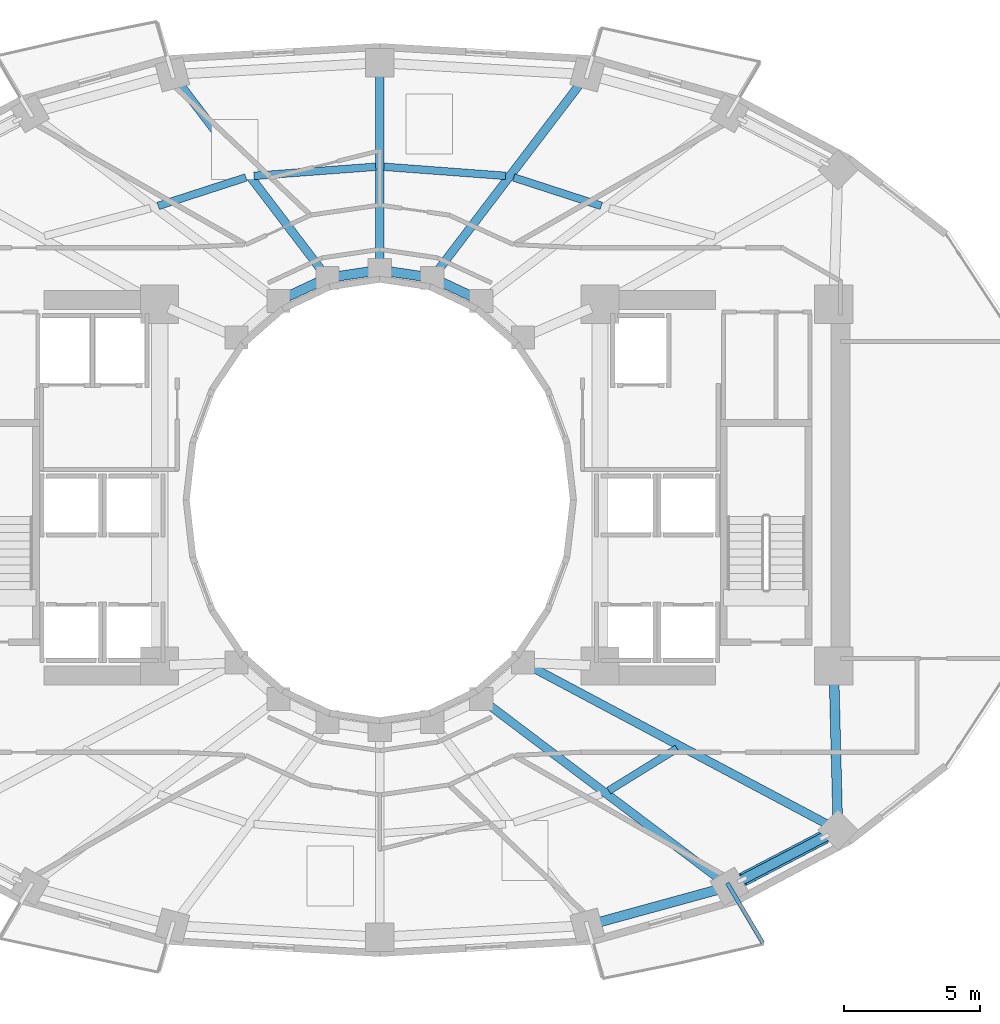
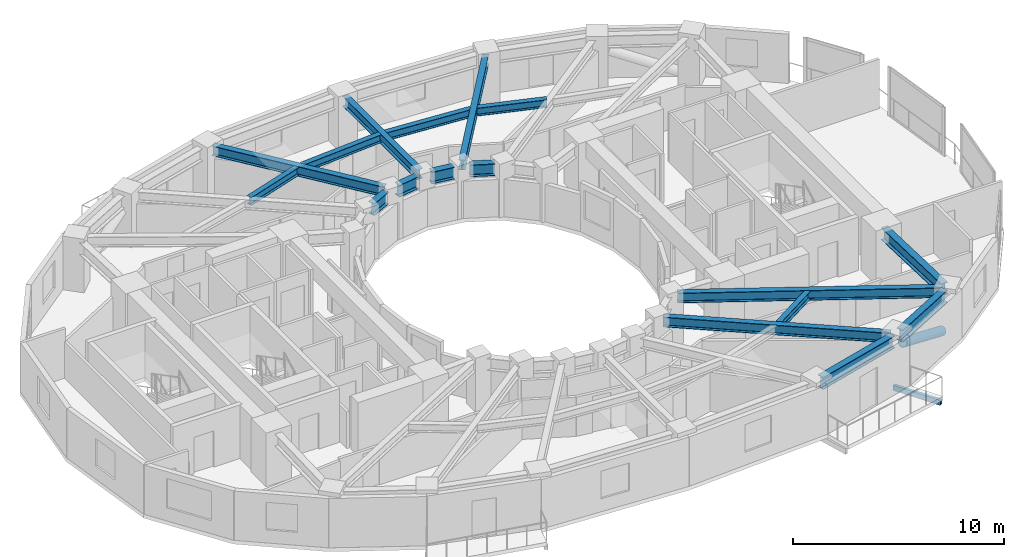
# One storey, part 2 of 14: 18 beams, 1 member.
"""IFC4 building model written with IfcOpenShell, lengths in metres."""

from ifc_helpers import new_model, si_unit, direction, frame, origin, origin_2d, place, context, subcontext, project, spatial, hollow_rectangle, hollow_circle, i_section, extrude, material, material_profile, profile_set, type_object, element, save


model = new_model("IFC4")

# Units and contexts
model_context = context("Model", 3, precision=1e-05, world=origin(), true_north=direction((0.0, 1.0)))
body_context = subcontext(model_context, "Body", "Model", "MODEL_VIEW")
ifc_project = project(units=[si_unit("LENGTHUNIT", "METRE"), si_unit("AREAUNIT", "SQUARE_METRE"), si_unit("VOLUMEUNIT", "CUBIC_METRE"), si_unit("PLANEANGLEUNIT", "RADIAN"), si_unit("MASSUNIT", "GRAM", prefix="KILO")], contexts=[model_context])

# Site, building, storey
site_placement = place(None, origin())
site = spatial("IfcSite", under=ifc_project, at=site_placement, CompositionType="ELEMENT")
building_placement = place(site_placement, origin())
building = spatial("IfcBuilding", under=site, at=building_placement, Name="Solvane Sanctuary Tower", CompositionType="ELEMENT")
storey_placement = place(building_placement, frame((0.0, 0.0, 88.699951171875)))
storey = spatial("IfcBuildingStorey", under=building, at=storey_placement, Name="L26", CompositionType="ELEMENT", Elevation=88.699951171875)

# Beams
ifc_material_1 = material(Name="Steel ASTM A500 Grade C", Category="steel")
ifc_material_profile_1 = material_profile(ifc_material_1, hollow_rectangle(XDim=0.14990234375, YDim=0.300048828125, WallThickness=0.010009765625, at=origin_2d()), Name="HSS300X150X10")
ifc_profile_set_1 = profile_set([ifc_material_profile_1], Name="Steel ASTM A500 Grade C")
beam_type_1 = type_object("IfcBeamType", Name="Beam B-BALC-BRK HSS300X150X10", PredefinedType="BEAM", material=ifc_profile_set_1)
beam_1_placement = place(storey_placement, frame((44.78173828125, 8.91162109375, -0.3720703125), z_axis=(0.510206685966, -0.860051822622, 0.0), x_axis=(0.860051822622, 0.510206685966, 0.0)))
element("IfcBeam", 1, at=beam_1_placement, inside=storey, type_object=beam_type_1, Name="L26 Balcony Bracket S2-2", PredefinedType="BEAM", context=body_context, shape_type="SweptSolid", body=[
    extrude(hollow_rectangle(XDim=0.14990234375, YDim=0.300048828125, WallThickness=0.010009765625, at=origin_2d()), origin(), (0.0, 0.0, 1.0), 2.5654296875),
])
ifc_material_2 = material(Name="Steel ASTM A992 Grade 50", Category="steel")
ifc_material_profile_2 = material_profile(ifc_material_2, i_section(OverallWidth=0.31494140625, OverallDepth=0.575927734375, WebThickness=0.01513671875, FlangeThickness=0.0244140625, FilletRadius=0.014892578125, at=origin_2d()), Name="W21X122")
ifc_profile_set_2 = profile_set([ifc_material_profile_2], Name="Steel ASTM A992 Grade 50")
beam_type_2 = type_object("IfcBeamType", Name="Beam B-RAD-Z2 W21X122", PredefinedType="BEAM", material=ifc_profile_set_2)
beam_2_placement = place(storey_placement, frame((34.1005859375, 31.394287109375, 2.590087890625), z_axis=(0.605972515369, 0.795485581653, 0.0), x_axis=(-0.795485581653, 0.605972515369, 0.0)))
element("IfcBeam", 2, at=beam_2_placement, inside=storey, type_object=beam_type_2, Name="L26 Radial Composite Floor Beam 03", PredefinedType="BEAM", context=body_context, shape_type="SweptSolid", body=[
    extrude(i_section(OverallWidth=0.31494140625, OverallDepth=0.575927734375, WebThickness=0.01513671875, FlangeThickness=0.0244140625, FilletRadius=0.014892578125, at=origin_2d()), origin(), (0.0, 0.0, 1.0), 8.84375),
])
beam_3_placement = place(storey_placement, frame((32.0, 31.739990234375, 2.590087890625), z_axis=(0.0, 1.0, 0.0), x_axis=(-1.0, 0.0, 0.0)))
element("IfcBeam", 3, at=beam_3_placement, inside=storey, type_object=beam_type_2, Name="L26 Radial Composite Floor Beam 04", PredefinedType="BEAM", context=body_context, shape_type="SweptSolid", body=[
    extrude(i_section(OverallWidth=0.31494140625, OverallDepth=0.575927734375, WebThickness=0.01513671875, FlangeThickness=0.0244140625, FilletRadius=0.014892578125, at=origin_2d()), origin(), (0.0, 0.0, 1.0), 7.06005859375),
])
beam_4_placement = place(storey_placement, frame((29.8994140625, 31.394287109375, 2.590087890625), z_axis=(-0.605972515369, 0.795485581653, 0.0), x_axis=(-0.795485581653, -0.605972515369, 0.0)))
element("IfcBeam", 4, at=beam_4_placement, inside=storey, type_object=beam_type_2, Name="L26 Radial Composite Floor Beam 05", PredefinedType="BEAM", context=body_context, shape_type="SweptSolid", body=[
    extrude(i_section(OverallWidth=0.31494140625, OverallDepth=0.575927734375, WebThickness=0.01513671875, FlangeThickness=0.0244140625, FilletRadius=0.014892578125, at=origin_2d()), origin(), (0.0, 0.0, 1.0), 8.84375),
])
beam_5_placement = place(storey_placement, frame((35.95361328125, 15.504638671875, 2.590087890625), z_axis=(0.798116040134, -0.602503764703, 0.0), x_axis=(0.602503764703, 0.798116040134, 0.0)))
element("IfcBeam", 5, at=beam_5_placement, inside=storey, type_object=beam_type_2, Name="L26 Radial Composite Floor Beam 13", PredefinedType="BEAM", context=body_context, shape_type="SweptSolid", body=[
    extrude(i_section(OverallWidth=0.31494140625, OverallDepth=0.575927734375, WebThickness=0.01513671875, FlangeThickness=0.0244140625, FilletRadius=0.014892578125, at=origin_2d()), origin(), (0.0, 0.0, 1.0), 10.876953125),
])
beam_6_placement = place(storey_placement, frame((37.522216796875, 16.886474609375, 2.590087890625), z_axis=(0.882951984843, -0.469463302572, 0.0), x_axis=(0.469463302572, 0.882951984843, 0.0)))
element("IfcBeam", 6, at=beam_6_placement, inside=storey, type_object=beam_type_2, Name="L26 Radial Composite Floor Beam 14", PredefinedType="BEAM", context=body_context, shape_type="SweptSolid", body=[
    extrude(i_section(OverallWidth=0.31494140625, OverallDepth=0.575927734375, WebThickness=0.01513671875, FlangeThickness=0.0244140625, FilletRadius=0.014892578125, at=origin_2d()), origin(), (0.0, 0.0, 1.0), 12.552734375),
])
ifc_material_profile_3 = material_profile(ifc_material_2, i_section(OverallWidth=0.35498046875, OverallDepth=0.695068359375, WebThickness=0.015380859375, FlangeThickness=0.02490234375, FilletRadius=0.01806640625, at=origin_2d()), Name="W27X146")
ifc_profile_set_3 = profile_set([ifc_material_profile_3], Name="Steel ASTM A992 Grade 50")
beam_type_3 = type_object("IfcBeamType", Name="Beam B-RING-IN1 W27X146", PredefinedType="BEAM", material=ifc_profile_set_3)
beam_7_placement = place(storey_placement, frame((28.62744140625, 30.494384765625, 2.530517578125), z_axis=(0.905044882818, 0.425316070804, 0.0), x_axis=(-0.425316070804, 0.905044882818, 0.0)))
element("IfcBeam", 7, at=beam_7_placement, inside=storey, type_object=beam_type_3, Name="L26 Inner Light-Well Ring Beam IC06-IC05", PredefinedType="BEAM", context=body_context, shape_type="SweptSolid", body=[
    extrude(i_section(OverallWidth=0.35498046875, OverallDepth=0.695068359375, WebThickness=0.015380859375, FlangeThickness=0.02490234375, FilletRadius=0.01806640625, at=origin_2d()), origin(), (0.0, 0.0, 1.0), 1.197998046875),
])
for number, where, z_axis, x_axis, name in (
    (8, (30.4599609375, 31.22998046875, 2.530517578125), (0.989034751611, 0.147682971619, 0.0), (-0.147682971619, 0.989034751611, 0.0), "L26 Inner Light-Well Ring Beam IC05-IC04"),
    (9, (32.390625, 31.401611328125, 2.530517578125), (0.989034751611, -0.147682971619, 0.0), (0.147682971619, 0.989034751611, 0.0), "L26 Inner Light-Well Ring Beam IC04-IC03"),
):
    element("IfcBeam", number, at=place(storey_placement, frame(where, z_axis=z_axis, x_axis=x_axis)), inside=storey, type_object=beam_type_3, Name=name, PredefinedType="BEAM", context=body_context, shape_type="SweptSolid", body=[
        extrude(i_section(OverallWidth=0.35498046875, OverallDepth=0.695068359375, WebThickness=0.015380859375, FlangeThickness=0.02490234375, FilletRadius=0.01806640625, at=origin_2d()), origin(), (0.0, 0.0, 1.0), 1.162109375),
    ])
beam_8_placement = place(storey_placement, frame((34.288330078125, 31.00390625, 2.530517578125), z_axis=(0.905044882818, -0.425316070804, 0.0), x_axis=(0.425316070804, 0.905044882818, 0.0)))
element("IfcBeam", 10, at=beam_8_placement, inside=storey, type_object=beam_type_3, Name="L26 Inner Light-Well Ring Beam IC03-IC02", PredefinedType="BEAM", context=body_context, shape_type="SweptSolid", body=[
    extrude(i_section(OverallWidth=0.35498046875, OverallDepth=0.695068359375, WebThickness=0.015380859375, FlangeThickness=0.02490234375, FilletRadius=0.01806640625, at=origin_2d()), origin(), (0.0, 0.0, 1.0), 1.197998046875),
])
ifc_material_profile_4 = material_profile(ifc_material_2, i_section(OverallWidth=0.280029296875, OverallDepth=0.462890625, WebThickness=0.0107421875, FlangeThickness=0.017333984375, FilletRadius=0.013916015625, at=origin_2d()), Name="W18X76")
ifc_profile_set_4 = profile_set([ifc_material_profile_4], Name="Steel ASTM A992 Grade 50")
beam_type_4 = type_object("IfcBeamType", Name="Beam B-SEC-JOIST W18X76", PredefinedType="JOIST", material=ifc_profile_set_4)
beam_9_placement = place(storey_placement, frame((23.850830078125, 33.819091796875, 2.646484375), z_axis=(0.951216534175, 0.308524075416, 0.0), x_axis=(-0.308524075416, 0.951216534175, 0.0)))
element("IfcBeam", 11, at=beam_9_placement, inside=storey, type_object=beam_type_4, Name="L26 Secondary Circumferential Joist 06-05", PredefinedType="JOIST", context=body_context, shape_type="SweptSolid", body=[
    extrude(i_section(OverallWidth=0.280029296875, OverallDepth=0.462890625, WebThickness=0.0107421875, FlangeThickness=0.017333984375, FilletRadius=0.013916015625, at=origin_2d()), origin(), (0.0, 0.0, 1.0), 3.38916015625),
])
for number, where, z_axis, x_axis, name in (
    (12, (27.3720703125, 34.92333984375, 2.646484375), (0.997207316227, 0.074683120339, 0.0), (-0.074683120339, 0.997207316227, 0.0), "L26 Secondary Circumferential Joist 05-04"),
    (13, (32.152099609375, 35.258544921875, 2.646484375), (0.997207316227, -0.074683120339, 0.0), (0.074683120339, 0.997207316227, 0.0), "L26 Secondary Circumferential Joist 04-03"),
):
    element("IfcBeam", number, at=place(storey_placement, frame(where, z_axis=z_axis, x_axis=x_axis)), inside=storey, type_object=beam_type_4, Name=name, PredefinedType="JOIST", context=body_context, shape_type="SweptSolid", body=[
        extrude(i_section(OverallWidth=0.280029296875, OverallDepth=0.462890625, WebThickness=0.0107421875, FlangeThickness=0.017333984375, FilletRadius=0.013916015625, at=origin_2d()), origin(), (0.0, 0.0, 1.0), 4.48828125),
    ])
beam_10_placement = place(storey_placement, frame((36.92529296875, 34.86474609375, 2.646484375), z_axis=(0.951216534175, -0.308524075416, 0.0), x_axis=(0.308524075416, 0.951216534175, 0.0)))
element("IfcBeam", 14, at=beam_10_placement, inside=storey, type_object=beam_type_4, Name="L26 Secondary Circumferential Joist 03-02", PredefinedType="JOIST", context=body_context, shape_type="SweptSolid", body=[
    extrude(i_section(OverallWidth=0.280029296875, OverallDepth=0.462890625, WebThickness=0.0107421875, FlangeThickness=0.017333984375, FilletRadius=0.013916015625, at=origin_2d()), origin(), (0.0, 0.0, 1.0), 3.38916015625),
])
beam_11_placement = place(storey_placement, frame((40.423828125, 12.30810546875, 2.646484375), z_axis=(0.85065981691, 0.525716535687, 0.0), x_axis=(-0.525716535687, 0.85065981691, 0.0)))
element("IfcBeam", 15, at=beam_11_placement, inside=storey, type_object=beam_type_4, Name="L26 Secondary Circumferential Joist 13-14", PredefinedType="JOIST", context=body_context, shape_type="SweptSolid", body=[
    extrude(i_section(OverallWidth=0.280029296875, OverallDepth=0.462890625, WebThickness=0.0107421875, FlangeThickness=0.017333984375, FilletRadius=0.013916015625, at=origin_2d()), origin(), (0.0, 0.0, 1.0), 2.951171875),
])
ifc_material_profile_5 = material_profile(ifc_material_2, i_section(OverallWidth=0.35791015625, OverallDepth=0.7060546875, WebThickness=0.018310546875, FlangeThickness=0.0302734375, FilletRadius=0.01806640625, at=origin_2d()), Name="W27X178")
ifc_profile_set_5 = profile_set([ifc_material_profile_5], Name="Steel ASTM A992 Grade 50")
beam_type_5 = type_object("IfcBeamType", Name="Beam B-SPAND-Z2 W27X178", PredefinedType="SPANDREL", material=ifc_profile_set_5)
beam_12_placement = place(storey_placement, frame((39.8994140625, 7.422119140625, 2.525146484375), z_axis=(0.964367605241, 0.26456591232, 0.0), x_axis=(-0.26456591232, 0.964367605241, 0.0)))
element("IfcBeam", 16, at=beam_12_placement, inside=storey, type_object=beam_type_5, Name="L26 Perimeter Spandrel Beam TC12-TC13", PredefinedType="SPANDREL", context=body_context, shape_type="SweptSolid", body=[
    extrude(i_section(OverallWidth=0.35791015625, OverallDepth=0.7060546875, WebThickness=0.018310546875, FlangeThickness=0.0302734375, FilletRadius=0.01806640625, at=origin_2d()), origin(), (0.0, 0.0, 1.0), 4.8623046875),
])
beam_13_placement = place(storey_placement, frame((45.106689453125, 8.911865234375, 2.525146484375), z_axis=(0.887014995188, 0.461740618002, 0.0), x_axis=(-0.461740618002, 0.887014995188, 0.0)))
element("IfcBeam", 17, at=beam_13_placement, inside=storey, type_object=beam_type_5, Name="L26 Perimeter Spandrel Beam TC13-TC14", PredefinedType="SPANDREL", context=body_context, shape_type="SweptSolid", body=[
    extrude(i_section(OverallWidth=0.35791015625, OverallDepth=0.7060546875, WebThickness=0.018310546875, FlangeThickness=0.0302734375, FilletRadius=0.01806640625, at=origin_2d()), origin(), (0.0, 0.0, 1.0), 3.943359375),
])
beam_14_placement = place(storey_placement, frame((48.845947265625, 11.141845703125, 2.525146484375), z_axis=(-0.025349487585, 0.999678650107, 0.0), x_axis=(-0.999678650107, -0.025349487585, 0.0)))
element("IfcBeam", 18, at=beam_14_placement, inside=storey, type_object=beam_type_5, Name="L26 Perimeter Spandrel Beam TC14-CE2", PredefinedType="SPANDREL", context=body_context, shape_type="SweptSolid", body=[
    extrude(i_section(OverallWidth=0.35791015625, OverallDepth=0.7060546875, WebThickness=0.018310546875, FlangeThickness=0.0302734375, FilletRadius=0.01806640625, at=origin_2d()), origin(), (0.0, 0.0, 1.0), 5.47998046875),
])

# Member
ifc_material_profile_6 = material_profile(ifc_material_2, hollow_circle(Radius=0.25390625, WallThickness=0.01611328125, at=origin_2d()), Name="CHS508X16")
ifc_profile_set_6 = profile_set([ifc_material_profile_6], Name="Steel ASTM A992 Grade 50")
member_type = type_object("IfcMemberType", Name="Member M-TUBE-Z2 CHS508X16", PredefinedType="BRACE", material=ifc_profile_set_6)
member_placement = place(storey_placement, frame((48.3564453125, 10.603515625, 0.602783203125), z_axis=(-0.824140553465, -0.429072126665, 0.369715374651), x_axis=(0.461792399626, -0.886988038052, 0.0)))
element("IfcMember", 19, at=member_placement, inside=storey, type_object=member_type, Name="L26 Perimeter Braced-Tube Diagonal SE", PredefinedType="BRACE", context=body_context, shape_type="SweptSolid", body=[
    extrude(hollow_circle(Radius=0.25390625, WallThickness=0.01611328125, at=origin_2d()), origin(), (0.0, 0.0, 1.0), 3.6689453125),
])

save(model, "model.ifc")
